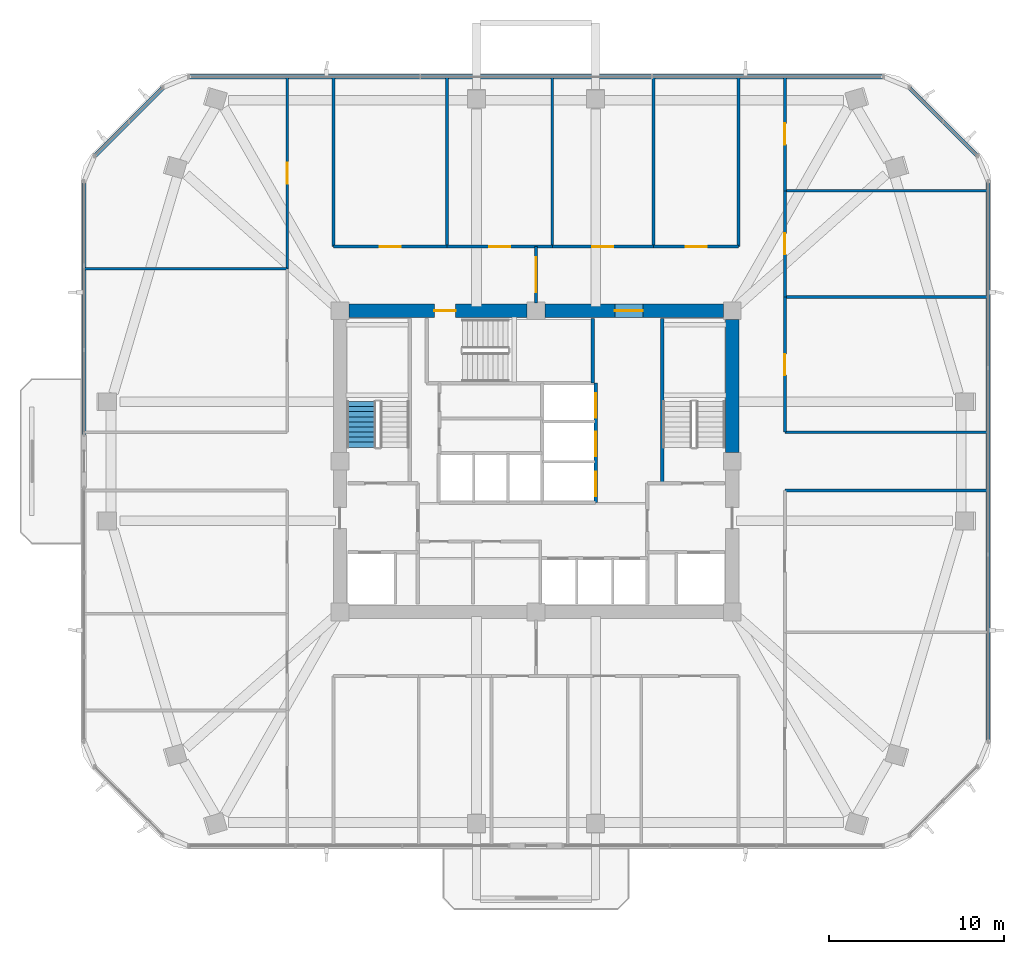
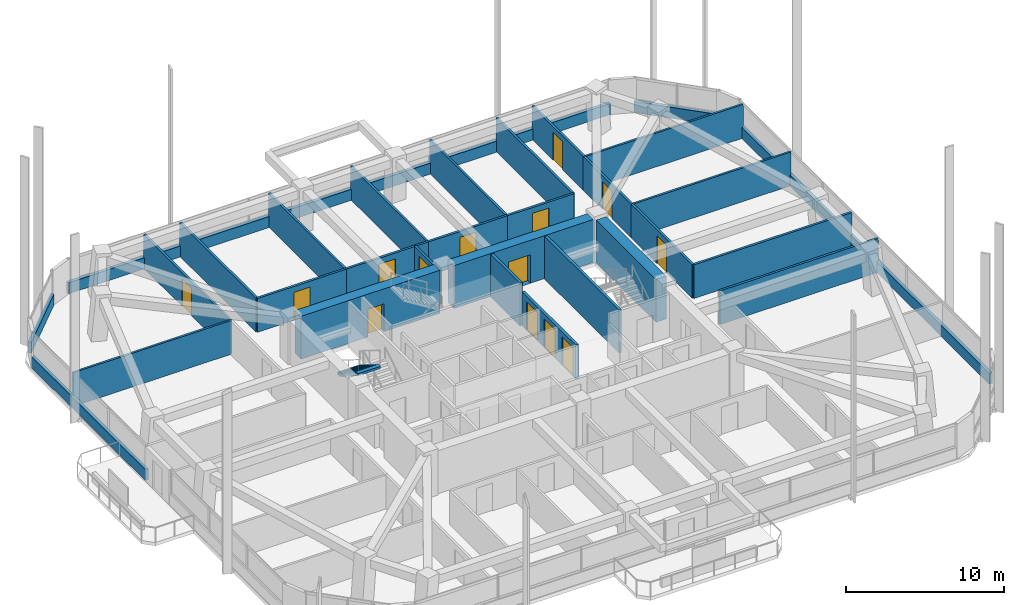
# One storey, part 10 of 15: 30 walls, 14 doors, 1 stair flight, 14 openings, 1 element without a shape of its own.
"""IFC4 building model written with IfcOpenShell, lengths in metres."""

from ifc_helpers import new_model, si_unit, derived_unit, direction, frame, frame_2d, origin, place, context, subcontext, project, spatial, polyline, rectangle, outline, extrude, material, layer, layer_set, type_object, element, fill, aggregate, save


model = new_model("IFC4")

# Units and contexts
model_context = context("Model", 3, precision=1e-05, world=origin(), true_north=direction((0.0, 1.0)))
body_context = subcontext(model_context, "Body", "Model", "MODEL_VIEW")
ifc_project = project(units=[si_unit("LENGTHUNIT", "METRE"), si_unit("AREAUNIT", "SQUARE_METRE"), si_unit("VOLUMEUNIT", "CUBIC_METRE"), si_unit("PLANEANGLEUNIT", "RADIAN"), si_unit("MASSUNIT", "GRAM", prefix="KILO"), derived_unit("THERMALTRANSMITTANCEUNIT", [(si_unit("POWERUNIT", "WATT"), 1), (si_unit("LENGTHUNIT", "METRE"), -2), (si_unit("THERMODYNAMICTEMPERATUREUNIT", "KELVIN"), -1)])], contexts=[model_context])

# Site, building, storey
site_placement = place(None, origin())
site = spatial("IfcSite", under=ifc_project, at=site_placement, CompositionType="ELEMENT")
building_placement = place(site_placement, origin())
building = spatial("IfcBuilding", under=site, at=building_placement, Name="Koralith Skygarden Medical Center", CompositionType="ELEMENT")
storey_placement = place(building_placement, frame((0.0, 0.0, 99.179931640625)))
storey = spatial("IfcBuildingStorey", under=building, at=storey_placement, Name="L25", CompositionType="ELEMENT", Elevation=99.179931640625)

# Walls
ifc_material_1 = material(Name="Gypsum Board Partition")
ifc_layer_1 = layer(ifc_material_1, 0.14990234375)
ifc_layer_set_1 = layer_set([ifc_layer_1], Name="Gypsum Board Partition")
wall_type_1 = type_object("IfcWallType", Name="Clinical Acoustic Partition 150", PredefinedType="PARTITIONING", material=ifc_layer_set_1)
for number, where, z_axis, x_axis, name in (
    (1, (31.9140625, 38.159912109375, 0.0), (0.0, 0.0, 1.0), (0.0, 1.0, 0.0), "L25 Clinical Acoustic Partition 150 W-PART-L25-N-01"),
    (2, (37.925048828125, 38.159912109375, 0.0), (0.0, 0.0, 1.0), (0.0, 1.0, 0.0), "L25 Clinical Acoustic Partition 150 W-PART-L25-N-02"),
    (3, (43.705078125, 38.159912109375, 0.0), (0.0, 0.0, 1.0), (0.0, 1.0, 0.0), "L25 Clinical Acoustic Partition 150 W-PART-L25-N-03"),
):
    element("IfcWall", number, at=place(storey_placement, frame(where, z_axis=z_axis, x_axis=x_axis)), inside=storey, type_object=wall_type_1, Name=name, PredefinedType="PARTITIONING", context=body_context, shape_type="SweptSolid", body=[
        extrude(rectangle(XDim=9.674072265625, YDim=0.14990234375, at=frame_2d((4.8369140625, 0.0))), origin(), (0.0, 0.0, 1.0), 2.610107421875),
    ])
for number, where, z_axis, x_axis, name in (
    (4, (22.7900390625, 36.885986328125, 0.0), (0.0, 0.0, 1.0), (-1.0, 0.0, 0.0), "L25 Clinical Acoustic Partition 150 W-PART-L25-WN-01"),
    (5, (51.2099609375, 35.280029296875, 0.0), (0.0, 0.0, 1.0), (1.0, 0.0, 0.0), "L25 Clinical Acoustic Partition 150 W-PART-L25-EN-01"),
    (6, (51.2099609375, 41.345947265625, 0.0), (0.0, 0.0, 1.0), (1.0, 0.0, 0.0), "L25 Clinical Acoustic Partition 150 W-PART-L25-EN-02"),
):
    element("IfcWall", number, at=place(storey_placement, frame(where, z_axis=z_axis, x_axis=x_axis)), inside=storey, type_object=wall_type_1, Name=name, PredefinedType="PARTITIONING", context=body_context, shape_type="SweptSolid", body=[
        extrude(rectangle(XDim=11.5830078125, YDim=0.14990234375, at=frame_2d((5.79150390625, 0.0))), origin(), (0.0, 0.0, 1.0), 2.610107421875),
    ])
ifc_layer_2 = layer(ifc_material_1, 0.1650390625)
ifc_layer_set_2 = layer_set([ifc_layer_2], Name="Gypsum Board Partition")
wall_type_2 = type_object("IfcWallType", Name="Clinical Corridor Partition 165", PredefinedType="PARTITIONING", material=ifc_layer_set_2)
for number, where, z_axis, x_axis, name in (
    (7, (25.429931640625, 38.159912109375, 0.0), (0.0, 0.0, 1.0), (0.0, 1.0, 0.0), "L25 Clinical Corridor Partition 165 W-HCOR-L25-NW"),
    (8, (48.570068359375, 38.159912109375, 0.0), (0.0, 0.0, 1.0), (0.0, 1.0, 0.0), "L25 Clinical Corridor Partition 165 W-HCOR-L25-NE"),
):
    element("IfcWall", number, at=place(storey_placement, frame(where, z_axis=z_axis, x_axis=x_axis)), inside=storey, type_object=wall_type_2, Name=name, PredefinedType="PARTITIONING", context=body_context, shape_type="SweptSolid", body=[
        extrude(rectangle(XDim=9.674072265625, YDim=0.1650390625, at=frame_2d((4.8369140625, 0.0))), origin(), (0.0, 0.0, 1.0), 2.610107421875),
    ])
for number, where, z_axis, x_axis, name in (
    (9, (51.2099609375, 24.239990234375, 0.0), (0.0, 0.0, 1.0), (1.0, 0.0, 0.0), "L25 Clinical Corridor Partition 165 W-HCOR-L25-EWS-E"),
    (10, (51.2099609375, 27.56005859375, 0.0), (0.0, 0.0, 1.0), (1.0, 0.0, 0.0), "L25 Clinical Corridor Partition 165 W-HCOR-L25-EWN-E"),
):
    element("IfcWall", number, at=place(storey_placement, frame(where, z_axis=z_axis, x_axis=x_axis)), inside=storey, type_object=wall_type_2, Name=name, PredefinedType="PARTITIONING", context=body_context, shape_type="SweptSolid", body=[
        extrude(rectangle(XDim=11.5830078125, YDim=0.1650390625, at=frame_2d((5.79150390625, 0.0))), origin(), (0.0, 0.0, 1.0), 2.610107421875),
    ])

# Wall, opening, door
wall_1_placement = place(storey_placement, frame((25.429931640625, 38.159912109375, 0.0), z_axis=(0.0, 0.0, 1.0), x_axis=(1.0, 0.0, 0.0)))
wall_1 = element("IfcWall", 11, at=wall_1_placement, inside=storey, type_object=wall_type_2, Name="L25 Clinical Corridor Partition 165 W-CORR-L25-N-01", PredefinedType="PARTITIONING", context=body_context, shape_type="SweptSolid", body=[
    extrude(rectangle(XDim=6.484130859375, YDim=0.1650390625, at=frame_2d((3.2421875, 0.0))), origin(), (0.0, 0.0, 1.0), 2.610107421875),
])
opening_1_placement = place(wall_1_placement, frame((2.64208984375, 0.0, 0.0)))
opening_1 = element("IfcOpeningElement", 12, at=opening_1_placement, cuts=wall_1, Name="Opening D-CLN", PredefinedType="OPENING", context=body_context, shape_type="SweptSolid", body=[
    extrude(rectangle(XDim=1.199951171875, YDim=2.14990234375, at=frame_2d((0.60009765625, 1.074951171875))), frame((0.0, 0.092529296875, 0.0), z_axis=(0.0, -1.0, 0.0), x_axis=(1.0, 0.0, 0.0)), (0.0, 0.0, 1.0), 0.18505859375),
])
ifc_material_2 = material(Name="Aluminium 6063-T6", Category="aluminium")
door_type_1 = type_object("IfcDoorType", Name="Clinical Corridor Door D-CLN 1200", OperationType="NOTDEFINED", PredefinedType="DOOR", material=ifc_material_2)
door_1_placement = place(opening_1_placement, origin())
door_1 = element("IfcDoor", 13, at=door_1_placement, inside=storey, type_object=door_type_1, Name="L25 Palliative Quiet Family Lounge 01 Door", OperationType="SINGLE_SWING_RIGHT", OverallHeight=2.14990234375, OverallWidth=1.199951171875, PredefinedType="DOOR", context=body_context, shape_type="SweptSolid", body=[
    extrude(rectangle(XDim=1.199951171875, YDim=2.14990234375, at=frame_2d((0.60009765625, 1.074951171875))), frame((0.0, 0.02490234375, 0.0), z_axis=(0.0, -1.0, 0.0), x_axis=(1.0, 0.0, 0.0)), (0.0, 0.0, 1.0), 0.050048828125),
])
fill(opening_1, door_1)

wall_2_placement = place(storey_placement, frame((31.9140625, 38.159912109375, 0.0), z_axis=(0.0, 0.0, 1.0), x_axis=(1.0, 0.0, 0.0)))
wall_2 = element("IfcWall", 14, at=wall_2_placement, inside=storey, type_object=wall_type_2, Name="L25 Clinical Corridor Partition 165 W-CORR-L25-N-02", PredefinedType="PARTITIONING", context=body_context, shape_type="SweptSolid", body=[
    extrude(rectangle(XDim=6.010986328125, YDim=0.1650390625, at=frame_2d((3.00537109375, 0.0))), origin(), (0.0, 0.0, 1.0), 2.610107421875),
])
opening_2_placement = place(wall_2_placement, frame((2.405029296875, 0.0, 0.0)))
opening_2 = element("IfcOpeningElement", 15, at=opening_2_placement, cuts=wall_2, Name="Opening D-CLN", PredefinedType="OPENING", context=body_context, shape_type="SweptSolid", body=[
    extrude(rectangle(XDim=1.199951171875, YDim=2.14990234375, at=frame_2d((0.60009765625, 1.074951171875))), frame((0.0, 0.092529296875, 0.0), z_axis=(0.0, -1.0, 0.0), x_axis=(1.0, 0.0, 0.0)), (0.0, 0.0, 1.0), 0.18505859375),
])
door_2_placement = place(opening_2_placement, origin())
door_2 = element("IfcDoor", 16, at=door_2_placement, inside=storey, type_object=door_type_1, Name="L25 Bereavement Sitting Room 02 Door", OperationType="SINGLE_SWING_LEFT", OverallHeight=2.14990234375, OverallWidth=1.199951171875, PredefinedType="DOOR", context=body_context, shape_type="SweptSolid", body=[
    extrude(rectangle(XDim=1.199951171875, YDim=2.14990234375, at=frame_2d((0.60009765625, 1.074951171875))), frame((0.0, 0.02490234375, 0.0), z_axis=(0.0, -1.0, 0.0), x_axis=(1.0, 0.0, 0.0)), (0.0, 0.0, 1.0), 0.050048828125),
])
fill(opening_2, door_2)

wall_3_placement = place(storey_placement, frame((37.925048828125, 38.159912109375, 0.0), z_axis=(0.0, 0.0, 1.0), x_axis=(1.0, 0.0, 0.0)))
wall_3 = element("IfcWall", 17, at=wall_3_placement, inside=storey, type_object=wall_type_2, Name="L25 Clinical Corridor Partition 165 W-CORR-L25-N-03", PredefinedType="PARTITIONING", context=body_context, shape_type="SweptSolid", body=[
    extrude(rectangle(XDim=5.780029296875, YDim=0.1650390625, at=frame_2d((2.89013671875, 0.0))), origin(), (0.0, 0.0, 1.0), 2.610107421875),
])
opening_3_placement = place(wall_3_placement, frame((2.2900390625, 0.0, 0.0)))
opening_3 = element("IfcOpeningElement", 18, at=opening_3_placement, cuts=wall_3, Name="Opening D-CLN", PredefinedType="OPENING", context=body_context, shape_type="SweptSolid", body=[
    extrude(rectangle(XDim=1.199951171875, YDim=2.14990234375, at=frame_2d((0.60009765625, 1.074951171875))), frame((0.0, 0.092529296875, 0.0), z_axis=(0.0, -1.0, 0.0), x_axis=(1.0, 0.0, 0.0)), (0.0, 0.0, 1.0), 0.18505859375),
])
door_3_placement = place(opening_3_placement, origin())
door_3 = element("IfcDoor", 19, at=door_3_placement, inside=storey, type_object=door_type_1, Name="L25 Family Nourishment Pantry 03 Door", OperationType="SINGLE_SWING_RIGHT", OverallHeight=2.14990234375, OverallWidth=1.199951171875, PredefinedType="DOOR", context=body_context, shape_type="SweptSolid", body=[
    extrude(rectangle(XDim=1.199951171875, YDim=2.14990234375, at=frame_2d((0.60009765625, 1.074951171875))), frame((0.0, 0.02490234375, 0.0), z_axis=(0.0, -1.0, 0.0), x_axis=(1.0, 0.0, 0.0)), (0.0, 0.0, 1.0), 0.050048828125),
])
fill(opening_3, door_3)

wall_4_placement = place(storey_placement, frame((43.705078125, 38.159912109375, 0.0), z_axis=(0.0, 0.0, 1.0), x_axis=(1.0, 0.0, 0.0)))
wall_4 = element("IfcWall", 20, at=wall_4_placement, inside=storey, type_object=wall_type_2, Name="L25 Clinical Corridor Partition 165 W-CORR-L25-N-04", PredefinedType="PARTITIONING", context=body_context, shape_type="SweptSolid", body=[
    extrude(rectangle(XDim=4.864990234375, YDim=0.1650390625, at=frame_2d((2.4326171875, 0.0))), origin(), (0.0, 0.0, 1.0), 2.610107421875),
])
opening_4_placement = place(wall_4_placement, frame((1.8330078125, 0.0, 0.0)))
opening_4 = element("IfcOpeningElement", 21, at=opening_4_placement, cuts=wall_4, Name="Opening D-CLN", PredefinedType="OPENING", context=body_context, shape_type="SweptSolid", body=[
    extrude(rectangle(XDim=1.199951171875, YDim=2.14990234375, at=frame_2d((0.60009765625, 1.074951171875))), frame((0.0, 0.092529296875, 0.0), z_axis=(0.0, -1.0, 0.0), x_axis=(1.0, 0.0, 0.0)), (0.0, 0.0, 1.0), 0.18505859375),
])
door_4_placement = place(opening_4_placement, origin())
door_4 = element("IfcDoor", 22, at=door_4_placement, inside=storey, type_object=door_type_1, Name="L25 Pastoral Counseling Office 04 Door", OperationType="SINGLE_SWING_LEFT", OverallHeight=2.14990234375, OverallWidth=1.199951171875, PredefinedType="DOOR", context=body_context, shape_type="SweptSolid", body=[
    extrude(rectangle(XDim=1.199951171875, YDim=2.14990234375, at=frame_2d((0.60009765625, 1.074951171875))), frame((0.0, 0.02490234375, 0.0), z_axis=(0.0, -1.0, 0.0), x_axis=(1.0, 0.0, 0.0)), (0.0, 0.0, 1.0), 0.050048828125),
])
fill(opening_4, door_4)

wall_5_placement = place(storey_placement, frame((22.7900390625, 36.885986328125, 0.0), z_axis=(0.0, 0.0, 1.0), x_axis=(0.0, 1.0, 0.0)))
wall_5 = element("IfcWall", 23, at=wall_5_placement, inside=storey, type_object=wall_type_2, Name="L25 Clinical Corridor Partition 165 W-CORR-L25-WN-02", PredefinedType="PARTITIONING", context=body_context, shape_type="SweptSolid", body=[
    extrude(rectangle(XDim=10.947998046875, YDim=0.1650390625, at=frame_2d((5.47412109375, 0.0))), origin(), (0.0, 0.0, 1.0), 2.610107421875),
])
opening_5_placement = place(wall_5_placement, frame((4.8740234375, 0.0, 0.0)))
opening_5 = element("IfcOpeningElement", 24, at=opening_5_placement, cuts=wall_5, Name="Opening D-CLN", PredefinedType="OPENING", context=body_context, shape_type="SweptSolid", body=[
    extrude(rectangle(XDim=1.199951171875, YDim=2.14990234375, at=frame_2d((0.60009765625, 1.074951171875))), frame((0.0, 0.092529296875, 0.0), z_axis=(0.0, -1.0, 0.0), x_axis=(1.0, 0.0, 0.0)), (0.0, 0.0, 1.0), 0.18505859375),
])
door_5_placement = place(opening_5_placement, frame((1.199951171875, 0.0, 0.0), z_axis=(0.0, 0.0, 1.0), x_axis=(-1.0, 0.0, 0.0)))
door_5 = element("IfcDoor", 25, at=door_5_placement, inside=storey, type_object=door_type_1, Name="L25 Palliative Quiet Family Lounge 14 Door", OperationType="SINGLE_SWING_LEFT", OverallHeight=2.14990234375, OverallWidth=1.199951171875, PredefinedType="DOOR", context=body_context, shape_type="SweptSolid", body=[
    extrude(rectangle(XDim=1.199951171875, YDim=2.14990234375, at=frame_2d((0.60009765625, 1.074951171875))), frame((0.0, 0.02490234375, 0.0), z_axis=(0.0, -1.0, 0.0), x_axis=(1.0, 0.0, 0.0)), (0.0, 0.0, 1.0), 0.050048828125),
])
fill(opening_5, door_5)

wall_6_placement = place(storey_placement, frame((51.2099609375, 27.56005859375, 0.0), z_axis=(0.0, 0.0, 1.0), x_axis=(0.0, 1.0, 0.0)))
wall_6 = element("IfcWall", 26, at=wall_6_placement, inside=storey, type_object=wall_type_2, Name="L25 Clinical Corridor Partition 165 W-CORR-L25-EN-01", PredefinedType="PARTITIONING", context=body_context, shape_type="SweptSolid", body=[
    extrude(rectangle(XDim=7.719970703125, YDim=0.1650390625, at=frame_2d((3.85986328125, 0.0))), origin(), (0.0, 0.0, 1.0), 2.610107421875),
])
opening_6_placement = place(wall_6_placement, frame((3.260009765625, 0.0, 0.0)))
opening_6 = element("IfcOpeningElement", 27, at=opening_6_placement, cuts=wall_6, Name="Opening D-CLN", PredefinedType="OPENING", context=body_context, shape_type="SweptSolid", body=[
    extrude(rectangle(XDim=1.199951171875, YDim=2.14990234375, at=frame_2d((0.60009765625, 1.074951171875))), frame((0.0, 0.092529296875, 0.0), z_axis=(0.0, -1.0, 0.0), x_axis=(1.0, 0.0, 0.0)), (0.0, 0.0, 1.0), 0.18505859375),
])
door_6_placement = place(opening_6_placement, origin())
door_6 = element("IfcDoor", 28, at=door_6_placement, inside=storey, type_object=door_type_1, Name="L25 Pastoral Counseling Office 17 Door", OperationType="SINGLE_SWING_RIGHT", OverallHeight=2.14990234375, OverallWidth=1.199951171875, PredefinedType="DOOR", context=body_context, shape_type="SweptSolid", body=[
    extrude(rectangle(XDim=1.199951171875, YDim=2.14990234375, at=frame_2d((0.60009765625, 1.074951171875))), frame((0.0, 0.02490234375, 0.0), z_axis=(0.0, -1.0, 0.0), x_axis=(1.0, 0.0, 0.0)), (0.0, 0.0, 1.0), 0.050048828125),
])
fill(opening_6, door_6)

wall_7_placement = place(storey_placement, frame((51.2099609375, 35.280029296875, 0.0), z_axis=(0.0, 0.0, 1.0), x_axis=(0.0, 1.0, 0.0)))
wall_7 = element("IfcWall", 29, at=wall_7_placement, inside=storey, type_object=wall_type_2, Name="L25 Clinical Corridor Partition 165 W-CORR-L25-EN-02", PredefinedType="PARTITIONING", context=body_context, shape_type="SweptSolid", body=[
    extrude(rectangle(XDim=6.06591796875, YDim=0.1650390625, at=frame_2d((3.032958984375, 0.0))), origin(), (0.0, 0.0, 1.0), 2.610107421875),
])
opening_7_placement = place(wall_7_placement, frame((2.43310546875, 0.0, 0.0)))
opening_7 = element("IfcOpeningElement", 30, at=opening_7_placement, cuts=wall_7, Name="Opening D-CLN", PredefinedType="OPENING", context=body_context, shape_type="SweptSolid", body=[
    extrude(rectangle(XDim=1.199951171875, YDim=2.14990234375, at=frame_2d((0.60009765625, 1.074951171875))), frame((0.0, 0.092529296875, 0.0), z_axis=(0.0, -1.0, 0.0), x_axis=(1.0, 0.0, 0.0)), (0.0, 0.0, 1.0), 0.18505859375),
])
door_7_placement = place(opening_7_placement, origin())
door_7 = element("IfcDoor", 31, at=door_7_placement, inside=storey, type_object=door_type_1, Name="L25 Palliative Quiet Family Lounge 18 Door", OperationType="SINGLE_SWING_LEFT", OverallHeight=2.14990234375, OverallWidth=1.199951171875, PredefinedType="DOOR", context=body_context, shape_type="SweptSolid", body=[
    extrude(rectangle(XDim=1.199951171875, YDim=2.14990234375, at=frame_2d((0.60009765625, 1.074951171875))), frame((0.0, 0.02490234375, 0.0), z_axis=(0.0, -1.0, 0.0), x_axis=(1.0, 0.0, 0.0)), (0.0, 0.0, 1.0), 0.050048828125),
])
fill(opening_7, door_7)

wall_8_placement = place(storey_placement, frame((51.2099609375, 41.345947265625, 0.0), z_axis=(0.0, 0.0, 1.0), x_axis=(0.0, 1.0, 0.0)))
wall_8 = element("IfcWall", 32, at=wall_8_placement, inside=storey, type_object=wall_type_2, Name="L25 Clinical Corridor Partition 165 W-CORR-L25-EN-03", PredefinedType="PARTITIONING", context=body_context, shape_type="SweptSolid", body=[
    extrude(rectangle(XDim=6.488037109375, YDim=0.1650390625, at=frame_2d((3.244140625, 0.0))), origin(), (0.0, 0.0, 1.0), 2.610107421875),
])
opening_8_placement = place(wall_8_placement, frame((2.64404296875, 0.0, 0.0)))
opening_8 = element("IfcOpeningElement", 33, at=opening_8_placement, cuts=wall_8, Name="Opening D-CLN", PredefinedType="OPENING", context=body_context, shape_type="SweptSolid", body=[
    extrude(rectangle(XDim=1.199951171875, YDim=2.14990234375, at=frame_2d((0.60009765625, 1.074951171875))), frame((0.0, 0.092529296875, 0.0), z_axis=(0.0, -1.0, 0.0), x_axis=(1.0, 0.0, 0.0)), (0.0, 0.0, 1.0), 0.18505859375),
])
door_8_placement = place(opening_8_placement, origin())
door_8 = element("IfcDoor", 34, at=door_8_placement, inside=storey, type_object=door_type_1, Name="L25 Bereavement Sitting Room 19 Door", OperationType="SINGLE_SWING_RIGHT", OverallHeight=2.14990234375, OverallWidth=1.199951171875, PredefinedType="DOOR", context=body_context, shape_type="SweptSolid", body=[
    extrude(rectangle(XDim=1.199951171875, YDim=2.14990234375, at=frame_2d((0.60009765625, 1.074951171875))), frame((0.0, 0.02490234375, 0.0), z_axis=(0.0, -1.0, 0.0), x_axis=(1.0, 0.0, 0.0)), (0.0, 0.0, 1.0), 0.050048828125),
])
fill(opening_8, door_8)

# Wall, openings, doors
ifc_layer_3 = layer(ifc_material_1, 0.199951171875)
ifc_layer_set_3 = layer_set([ifc_layer_3], Name="Gypsum Board Partition")
wall_type_3 = type_object("IfcWallType", Name="Fire Shaft Wall 200", PredefinedType="SOLIDWALL", material=ifc_layer_set_3)
wall_9_placement = place(storey_placement, frame((40.39990234375, 23.5400390625, 0.0), z_axis=(0.0, 0.0, 1.0), x_axis=(0.0, 1.0, 0.0)))
wall_9 = element("IfcWall", 35, at=wall_9_placement, inside=storey, type_object=wall_type_3, Name="L25 Fire Shaft Wall 200 W-CORE-L25-SV-E", PredefinedType="SOLIDWALL", context=body_context, shape_type="SweptSolid", body=[
    extrude(rectangle(XDim=6.820068359375, YDim=0.199951171875, at=frame_2d((3.41015625, 0.0))), origin(), (0.0, 0.0, 1.0), 2.610107421875),
])
opening_9_placement = place(wall_9_placement, frame((0.35009765625, 0.0, 0.0)))
opening_9 = element("IfcOpeningElement", 36, at=opening_9_placement, cuts=wall_9, Name="Opening LD-SV", PredefinedType="OPENING", context=body_context, shape_type="SweptSolid", body=[
    extrude(rectangle(XDim=1.39990234375, YDim=2.199951171875, at=frame_2d((0.699951171875, 1.10009765625))), frame((0.0, 0.10986328125, 0.0), z_axis=(0.0, -1.0, 0.0), x_axis=(1.0, 0.0, 0.0)), (0.0, 0.0, 1.0), 0.219970703125),
])
opening_10_placement = place(wall_9_placement, frame((2.64990234375, 0.0, 0.0)))
opening_10 = element("IfcOpeningElement", 37, at=opening_10_placement, cuts=wall_9, Name="Opening LD-SV", PredefinedType="OPENING", context=body_context, shape_type="SweptSolid", body=[
    extrude(rectangle(XDim=1.39990234375, YDim=2.199951171875, at=frame_2d((0.699951171875, 1.10009765625))), frame((0.0, 0.10986328125, 0.0), z_axis=(0.0, -1.0, 0.0), x_axis=(1.0, 0.0, 0.0)), (0.0, 0.0, 1.0), 0.219970703125),
])
opening_11_placement = place(wall_9_placement, frame((4.85009765625, 0.0, 0.0)))
opening_11 = element("IfcOpeningElement", 38, at=opening_11_placement, cuts=wall_9, Name="Opening LD-SV", PredefinedType="OPENING", context=body_context, shape_type="SweptSolid", body=[
    extrude(rectangle(XDim=1.39990234375, YDim=2.199951171875, at=frame_2d((0.699951171875, 1.10009765625))), frame((0.0, 0.10986328125, 0.0), z_axis=(0.0, -1.0, 0.0), x_axis=(1.0, 0.0, 0.0)), (0.0, 0.0, 1.0), 0.219970703125),
])
ifc_material_3 = material(Name="Steel ASTM A500 Grade C", Category="steel")
door_type_2 = type_object("IfcDoorType", Name="Bed Lift Sliding Landing Door LD-SV 1400", OperationType="NOTDEFINED", PredefinedType="DOOR", material=ifc_material_3)
door_9_placement = place(opening_9_placement, origin())
door_9 = element("IfcDoor", 39, at=door_9_placement, inside=storey, type_object=door_type_2, Name="L25 Bed Elevator BD1 Landing Door", OperationType="SLIDING_TO_LEFT", OverallHeight=2.199951171875, OverallWidth=1.39990234375, PredefinedType="DOOR", context=body_context, shape_type="SweptSolid", body=[
    extrude(rectangle(XDim=1.39990234375, YDim=2.199951171875, at=frame_2d((0.699951171875, 1.10009765625))), frame((0.0, 0.02490234375, 0.0), z_axis=(0.0, -1.0, 0.0), x_axis=(1.0, 0.0, 0.0)), (0.0, 0.0, 1.0), 0.050048828125),
])
fill(opening_9, door_9)
door_10_placement = place(opening_10_placement, origin())
door_10 = element("IfcDoor", 40, at=door_10_placement, inside=storey, type_object=door_type_2, Name="L25 Service Elevator BD2 Landing Door", OperationType="SLIDING_TO_LEFT", OverallHeight=2.199951171875, OverallWidth=1.39990234375, PredefinedType="DOOR", context=body_context, shape_type="SweptSolid", body=[
    extrude(rectangle(XDim=1.39990234375, YDim=2.199951171875, at=frame_2d((0.699951171875, 1.10009765625))), frame((0.0, 0.02490234375, 0.0), z_axis=(0.0, -1.0, 0.0), x_axis=(1.0, 0.0, 0.0)), (0.0, 0.0, 1.0), 0.050048828125),
])
fill(opening_10, door_10)
door_11_placement = place(opening_11_placement, origin())
door_11 = element("IfcDoor", 41, at=door_11_placement, inside=storey, type_object=door_type_2, Name="L25 Trauma Elevator TR1 Landing Door", OperationType="SLIDING_TO_RIGHT", OverallHeight=2.199951171875, OverallWidth=1.39990234375, PredefinedType="DOOR", context=body_context, shape_type="SweptSolid", body=[
    extrude(rectangle(XDim=1.39990234375, YDim=2.199951171875, at=frame_2d((0.699951171875, 1.10009765625))), frame((0.0, 0.02490234375, 0.0), z_axis=(0.0, -1.0, 0.0), x_axis=(1.0, 0.0, 0.0)), (0.0, 0.0, 1.0), 0.050048828125),
])
fill(opening_11, door_11)

# Wall, opening, door
ifc_layer_4 = layer(ifc_material_1, 0.179931640625)
ifc_layer_set_4 = layer_set([ifc_layer_4], Name="Gypsum Board Partition")
wall_type_4 = type_object("IfcWallType", Name="Group I-2 Smoke Barrier Wall 180", PredefinedType="PARTITIONING", material=ifc_layer_set_4)
wall_10_placement = place(storey_placement, frame((37.0, 34.949951171875, 0.0), z_axis=(0.0, 0.0, 1.0), x_axis=(0.0, 1.0, 0.0)))
wall_10 = element("IfcWall", 42, at=wall_10_placement, inside=storey, type_object=wall_type_4, Name="L25 Group I-2 Smoke Barrier Wall 180 W-SMK-L25-N", PredefinedType="PARTITIONING", context=body_context, shape_type="SweptSolid", body=[
    extrude(rectangle(XDim=3.2099609375, YDim=0.179931640625, at=frame_2d((1.60498046875, 0.0))), origin(), (0.0, 0.0, 1.0), 2.610107421875),
])
opening_12_placement = place(wall_10_placement, frame((0.60498046875, 0.0, 0.0)))
opening_12 = element("IfcOpeningElement", 43, at=opening_12_placement, cuts=wall_10, Name="Opening D-SMK", PredefinedType="OPENING", context=body_context, shape_type="SweptSolid", body=[
    extrude(rectangle(XDim=2.0, YDim=2.199951171875, at=frame_2d((1.0, 1.10009765625))), frame((0.0, 0.099853515625, 0.0), z_axis=(0.0, -1.0, 0.0), x_axis=(1.0, 0.0, 0.0)), (0.0, 0.0, 1.0), 0.199951171875),
])
door_type_3 = type_object("IfcDoorType", Name="Cross-Corridor Double Smoke Door FD60S 2000", OperationType="NOTDEFINED", PredefinedType="DOOR", material=ifc_material_3)
door_12_placement = place(opening_12_placement, origin())
door_12 = element("IfcDoor", 44, at=door_12_placement, inside=storey, type_object=door_type_3, Name="L25 N Smoke Compartment Cross-Corridor Door", OperationType="DOUBLE_DOOR_SINGLE_SWING", OverallHeight=2.199951171875, OverallWidth=2.0, PredefinedType="DOOR", context=body_context, shape_type="SweptSolid", body=[
    extrude(rectangle(XDim=2.0, YDim=2.199951171875, at=frame_2d((1.0, 1.10009765625))), frame((0.0, 0.02490234375, 0.0), z_axis=(0.0, -1.0, 0.0), x_axis=(1.0, 0.0, 0.0)), (0.0, 0.0, 1.0), 0.050048828125),
])
fill(opening_12, door_12)

# Walls
ifc_material_4 = material(Name="Warm Oolitic Limestone Cladding", Category="masonry")
ifc_layer_5 = layer(ifc_material_4, 0.239990234375)
ifc_layer_set_5 = layer_set([ifc_layer_5], Name="Warm Oolitic Limestone Cladding")
wall_type_5 = type_object("IfcWallType", Name="Limestone Spandrel Sill Backup Wall 240", PredefinedType="SOLIDWALL", material=ifc_layer_set_5)
wall_11_placement = place(storey_placement, frame((62.81298828125, 9.9208984375, 0.0), z_axis=(0.0, 0.0, 1.0), x_axis=(0.0, 1.0, 0.0)))
element("IfcWall", 45, at=wall_11_placement, inside=storey, type_object=wall_type_5, Name="L25 Sill Spandrel E", PredefinedType="SOLIDWALL", context=body_context, shape_type="SweptSolid", body=[
    extrude(rectangle(XDim=31.9580078125, YDim=0.239990234375, at=frame_2d((15.97900390625, 0.0))), origin(), (0.0, 0.0, 1.0), 0.85009765625),
])
wall_12_placement = place(storey_placement, frame((62.2119140625, 43.330078125, 0.0), z_axis=(0.0, 0.0, 1.0), x_axis=(-0.707106781187, 0.707106781187, 0.0)))
element("IfcWall", 46, at=wall_12_placement, inside=storey, type_object=wall_type_5, Name="L25 Sill Spandrel NE", PredefinedType="SOLIDWALL", context=body_context, shape_type="SweptSolid", body=[
    extrude(rectangle(XDim=5.5478515625, YDim=0.239990234375, at=frame_2d((2.77392578125, 0.0))), origin(), (0.0, 0.0, 1.0), 0.85009765625),
])
wall_13_placement = place(storey_placement, frame((56.837890625, 47.85498046875, 0.0), z_axis=(0.0, 0.0, 1.0), x_axis=(-1.0, 0.0, 0.0)))
element("IfcWall", 47, at=wall_13_placement, inside=storey, type_object=wall_type_5, Name="L25 Sill Spandrel N", PredefinedType="SOLIDWALL", context=body_context, shape_type="SweptSolid", body=[
    extrude(rectangle(XDim=39.67578125, YDim=0.239990234375, at=frame_2d((19.837890625, 0.0))), origin(), (0.0, 0.0, 1.0), 0.85009765625),
])
wall_14_placement = place(storey_placement, frame((15.7109375, 47.2529296875, 0.0), z_axis=(0.0, 0.0, 1.0), x_axis=(-0.707106781187, -0.707106781187, 0.0)))
element("IfcWall", 48, at=wall_14_placement, inside=storey, type_object=wall_type_5, Name="L25 Sill Spandrel NW", PredefinedType="SOLIDWALL", context=body_context, shape_type="SweptSolid", body=[
    extrude(rectangle(XDim=5.5478515625, YDim=0.239990234375, at=frame_2d((2.77392578125, 0.0))), origin(), (0.0, 0.0, 1.0), 0.85009765625),
])
wall_15_placement = place(storey_placement, frame((11.18701171875, 41.87890625, 0.0), z_axis=(0.0, 0.0, 1.0), x_axis=(0.0, -1.0, 0.0)))
element("IfcWall", 49, at=wall_15_placement, inside=storey, type_object=wall_type_5, Name="L25 Sill Spandrel W-L", PredefinedType="SOLIDWALL", context=body_context, shape_type="SweptSolid", body=[
    extrude(rectangle(XDim=14.43896484375, YDim=0.239990234375, at=frame_2d((7.219482421875, 0.0))), origin(), (0.0, 0.0, 1.0), 0.85009765625),
])
ifc_material_5 = material(Name="Concrete C70/85", Category="concrete")
ifc_layer_6 = layer(ifc_material_5, 0.75)
ifc_layer_set_6 = layer_set([ifc_layer_6], Name="Concrete C70/85")
wall_type_6 = type_object("IfcWallType", Name="Mid Core Shear Wall 750", PredefinedType="SHEAR", material=ifc_layer_set_6)
wall_16_placement = place(storey_placement, frame((48.199951171875, 26.405029296875, 0.0), z_axis=(0.0, 0.0, 1.0), x_axis=(0.0, 1.0, 0.0)))
element("IfcWall", 50, at=wall_16_placement, inside=storey, type_object=wall_type_6, Name="L25 Core Shear Wall Segment 4", PredefinedType="SHEAR", context=body_context, shape_type="SweptSolid", body=[
    extrude(rectangle(XDim=7.590087890625, YDim=0.75, at=frame_2d((3.794921875, 0.0))), origin(), (0.0, 0.0, 1.0), 3.320068359375),
])

# Wall, opening, door
wall_17_placement = place(storey_placement, frame((47.695068359375, 34.5, 0.0), z_axis=(0.0, 0.0, 1.0), x_axis=(-1.0, 0.0, 0.0)))
wall_17 = element("IfcWall", 51, at=wall_17_placement, inside=storey, type_object=wall_type_6, Name="L25 Core Shear Wall Segment 5", PredefinedType="SHEAR", context=body_context, shape_type="SweptSolid", body=[
    extrude(rectangle(XDim=10.190185546875, YDim=0.75, at=frame_2d((5.09521484375, 0.0))), origin(), (0.0, 0.0, 1.0), 3.320068359375),
])
opening_13_placement = place(wall_17_placement, frame((4.594970703125, 0.0, 0.0)))
opening_13 = element("IfcOpeningElement", 52, at=opening_13_placement, cuts=wall_17, Name="Opening D-DBL", PredefinedType="OPENING", context=body_context, shape_type="SweptSolid", body=[
    extrude(rectangle(XDim=1.60009765625, YDim=2.199951171875, at=frame_2d((0.800048828125, 1.10009765625))), frame((0.0, 0.385009765625, 0.0), z_axis=(0.0, -1.0, 0.0), x_axis=(1.0, 0.0, 0.0)), (0.0, 0.0, 1.0), 0.77001953125),
])
door_type_4 = type_object("IfcDoorType", Name="Double Clinical Suite Door D-DBL 1600", OperationType="NOTDEFINED", PredefinedType="DOOR", material=ifc_material_2)
door_13_placement = place(opening_13_placement, frame((1.60009765625, 0.0, 0.0), z_axis=(0.0, 0.0, 1.0), x_axis=(-1.0, 0.0, 0.0)))
door_13 = element("IfcDoor", 53, at=door_13_placement, inside=storey, type_object=door_type_4, Name="L25 North-East Corridor to Elevator Lobby Door", OperationType="DOUBLE_DOOR_SINGLE_SWING", OverallHeight=2.199951171875, OverallWidth=1.60009765625, PredefinedType="DOOR", context=body_context, shape_type="SweptSolid", body=[
    extrude(rectangle(XDim=1.60009765625, YDim=2.199951171875, at=frame_2d((0.800048828125, 1.10009765625))), frame((0.0, 0.02490234375, 0.0), z_axis=(0.0, -1.0, 0.0), x_axis=(1.0, 0.0, 0.0)), (0.0, 0.0, 1.0), 0.050048828125),
])
fill(opening_13, door_13)

wall_18_placement = place(storey_placement, frame((36.4951171875, 34.5, 0.0), z_axis=(0.0, 0.0, 1.0), x_axis=(-1.0, 0.0, 0.0)))
wall_18 = element("IfcWall", 54, at=wall_18_placement, inside=storey, type_object=wall_type_6, Name="L25 Core Shear Wall Segment 6", PredefinedType="SHEAR", context=body_context, shape_type="SweptSolid", body=[
    extrude(rectangle(XDim=10.190185546875, YDim=0.75, at=frame_2d((5.09521484375, 0.0))), origin(), (0.0, 0.0, 1.0), 3.320068359375),
])
opening_14_placement = place(wall_18_placement, frame((4.094970703125, 0.0, 0.0)))
opening_14 = element("IfcOpeningElement", 55, at=opening_14_placement, cuts=wall_18, Name="Opening D-ST60", PredefinedType="OPENING", context=body_context, shape_type="SweptSolid", body=[
    extrude(rectangle(XDim=1.199951171875, YDim=2.14990234375, at=frame_2d((0.60009765625, 1.074951171875))), frame((0.0, 0.385009765625, 0.0), z_axis=(0.0, -1.0, 0.0), x_axis=(1.0, 0.0, 0.0)), (0.0, 0.0, 1.0), 0.77001953125),
])
door_type_5 = type_object("IfcDoorType", Name="Smokeproof Stair Fire Door FD60S 1200", OperationType="NOTDEFINED", PredefinedType="DOOR", material=ifc_material_3)
door_14_placement = place(opening_14_placement, frame((1.199951171875, 0.0, 0.0), z_axis=(0.0, 0.0, 1.0), x_axis=(-1.0, 0.0, 0.0)))
door_14 = element("IfcDoor", 56, at=door_14_placement, inside=storey, type_object=door_type_5, Name="L25 Exit Stair ST3 Fire Door", OperationType="SINGLE_SWING_LEFT", OverallHeight=2.14990234375, OverallWidth=1.199951171875, PredefinedType="DOOR", context=body_context, shape_type="SweptSolid", body=[
    extrude(rectangle(XDim=1.199951171875, YDim=2.14990234375, at=frame_2d((0.60009765625, 1.074951171875))), frame((0.0, 0.02490234375, 0.0), z_axis=(0.0, -1.0, 0.0), x_axis=(1.0, 0.0, 0.0)), (0.0, 0.0, 1.0), 0.050048828125),
])
fill(opening_14, door_14)

# Walls
ifc_material_6 = material(Name="Concrete C45/55", Category="concrete")
ifc_layer_7 = layer(ifc_material_6, 0.199951171875)
ifc_layer_set_7 = layer_set([ifc_layer_7], Name="Concrete C45/55")
wall_type_7 = type_object("IfcWallType", Name="Structural Stair Shaft Wall 200", PredefinedType="SHEAR", material=ifc_layer_set_7)
wall_19_placement = place(storey_placement, frame((44.199951171875, 24.64990234375, 0.0), z_axis=(0.0, 0.0, 1.0), x_axis=(0.0, 1.0, 0.0)))
element("IfcWall", 57, at=wall_19_placement, inside=storey, type_object=wall_type_7, Name="L25 Structural Stair Shaft Wall 200 W-CORE-L25-ST2-W", PredefinedType="SHEAR", context=body_context, shape_type="SweptSolid", body=[
    extrude(rectangle(XDim=9.400146484375, YDim=0.199951171875, at=frame_2d((4.7001953125, 0.0))), origin(), (0.0, 0.0, 1.0), 3.320068359375),
])
wall_20_placement = place(storey_placement, frame((40.25, 30.360107421875, 0.0), z_axis=(0.0, 0.0, 1.0), x_axis=(0.0, 1.0, 0.0)))
element("IfcWall", 58, at=wall_20_placement, inside=storey, type_object=wall_type_7, Name="L25 Structural Stair Shaft Wall 200 W-CORE-L25-ST3-E", PredefinedType="SHEAR", context=body_context, shape_type="SweptSolid", body=[
    extrude(rectangle(XDim=3.68994140625, YDim=0.199951171875, at=frame_2d((1.844970703125, 0.0))), origin(), (0.0, 0.0, 1.0), 3.320068359375),
])

# Stair, stair flight
stair_type = type_object("IfcStairType", Name="Core Exit Dogleg Concrete Stair", PredefinedType="HALF_TURN_STAIR", material=ifc_material_6)
stair_placement = place(storey_placement, origin())
stair = element("IfcStair", 59, at=stair_placement, inside=storey, type_object=stair_type, Name="L25 Smokeproof Exit Stair ST1", PredefinedType="HALF_TURN_STAIR")
stair_flight_type = type_object("IfcStairFlightType", Name="Core Exit Concrete Stair Flight 1650", PredefinedType="STRAIGHT", material=ifc_material_6)
stair_flight_placement = place(storey_placement, frame((27.02490234375, 29.31005859375, 1.800048828125), z_axis=(0.0, 0.0, 1.0), x_axis=(0.0, -1.0, 0.0)))
stair_flight = element("IfcStairFlight", 60, at=stair_flight_placement, type_object=stair_flight_type, Name="ST1 flight 2", NumberOfRisers=10, NumberOfTreads=9, PredefinedType="STRAIGHT", RiserHeight=0.18, TreadLength=0.29, context=body_context, shape_type="SweptSolid", body=[
    extrude(outline(polyline([(0.0, 0.0), (0.0, 0.179931640625), (0.2900390625, 0.179931640625), (0.2900390625, 0.360107421875), (0.580078125, 0.360107421875), (0.580078125, 0.5400390625), (0.8701171875, 0.5400390625), (0.8701171875, 0.719970703125), (1.159912109375, 0.719970703125), (1.159912109375, 0.89990234375), (1.449951171875, 0.89990234375), (1.449951171875, 1.080078125), (1.739990234375, 1.080078125), (1.739990234375, 1.260009765625), (2.030029296875, 1.260009765625), (2.030029296875, 1.43994140625), (2.320068359375, 1.43994140625), (2.320068359375, 1.6201171875), (2.610107421875, 1.6201171875), (2.610107421875, 1.800048828125), (2.610107421875, 1.443603515625), (0.2841796875, 0.0), (0.0, 0.0)])), frame((0.0, 0.824951171875, 0.0), z_axis=(0.0, -1.0, 0.0), x_axis=(1.0, 0.0, 0.0)), (0.0, 0.0, 1.0), 1.64990234375),
])
aggregate(stair, [stair_flight])

save(model, "model.ifc")
